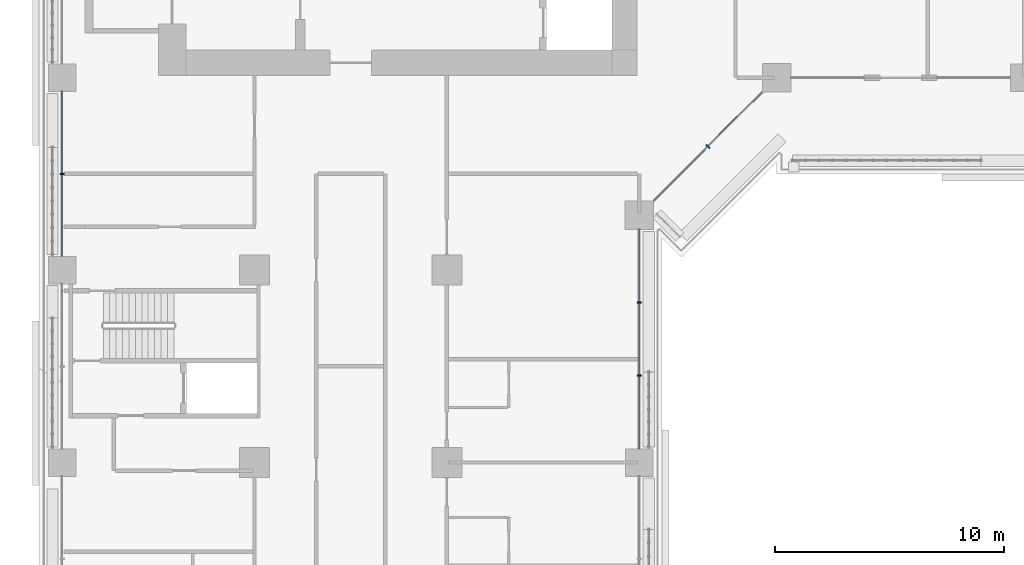
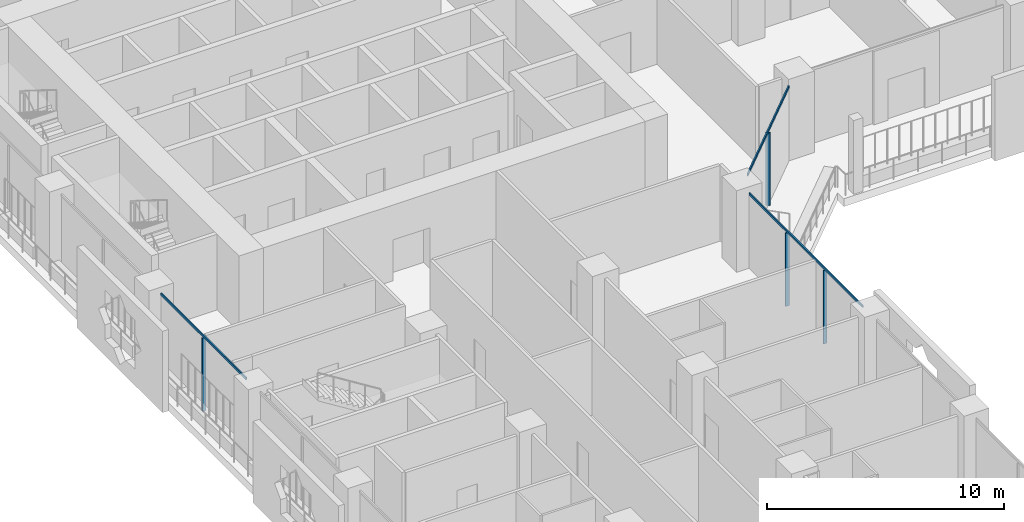
# One storey, part 4 of 27: 7 members, 3 elements without a shape of their own.
"""IFC4 building model written with IfcOpenShell, lengths in metres."""

from ifc_helpers import new_model, si_unit, direction, frame, origin, origin_2d, place, context, subcontext, project, spatial, rectangle, extrude, material, layer, layer_set, material_profile, profile_set, type_object, element, aggregate, save


model = new_model("IFC4")

# Units and contexts
model_context = context("Model", 3, precision=1e-05, world=origin(), true_north=direction((0.0, 1.0)))
body_context = subcontext(model_context, "Body", "Model", "MODEL_VIEW")
ifc_project = project(units=[si_unit("LENGTHUNIT", "METRE"), si_unit("AREAUNIT", "SQUARE_METRE"), si_unit("VOLUMEUNIT", "CUBIC_METRE"), si_unit("PLANEANGLEUNIT", "RADIAN"), si_unit("MASSUNIT", "GRAM", prefix="KILO")], contexts=[model_context])

# Site, building, storey
site_placement = place(None, origin())
site = spatial("IfcSite", under=ifc_project, at=site_placement, CompositionType="ELEMENT")
building_placement = place(site_placement, origin())
building = spatial("IfcBuilding", under=site, at=building_placement, Name="Kawkab Arch Medical Tower", CompositionType="ELEMENT")
storey_placement = place(building_placement, frame((0.0, 0.0, 85.39990234375)))
storey = spatial("IfcBuildingStorey", under=building, at=storey_placement, Name="L19", CompositionType="ELEMENT", Elevation=85.39990234375)

# Curtain wall, member
ifc_material_1 = material(Name="Bronze anodised aluminium curtain wall frame", Category="aluminium")
ifc_layer_1 = layer(ifc_material_1, 0.159912109375)
ifc_layer_set_1 = layer_set([ifc_layer_1], Name="Bronze anodised aluminium curtain wall frame")
curtain_wall_type_1 = type_object("IfcCurtainWallType", Name="CW1 ward curtain wall", PredefinedType="NOTDEFINED", material=ifc_layer_set_1)
placement = place(storey_placement, origin())
curtain_wall_1 = element("IfcCurtainWall", 1, at=placement, inside=storey, type_object=curtain_wall_type_1, Name="CW1 Ward curtain wall R01", PredefinedType="NOTDEFINED")
ifc_material_2 = material(Name="Bronze anodised aluminium curtain wall frame", Category="aluminium")
ifc_material_profile_1 = material_profile(ifc_material_2, rectangle(XDim=0.179931640625, YDim=0.06005859375, at=origin_2d()), Name="AL 60x180")
ifc_profile_set_1 = profile_set([ifc_material_profile_1], Name="Bronze anodised aluminium curtain wall frame")
member_type_1 = type_object("IfcMemberType", Name="CW1 mullion 60 x 180", PredefinedType="MULLION", material=ifc_profile_set_1)
member_1_placement = place(storey_placement, frame((0.0, -29.39990234375, 0.0), z_axis=(0.0, 0.0, 1.0), x_axis=(1.0, 0.0, 0.0)))
member_1 = element("IfcMember", 2, at=member_1_placement, type_object=member_type_1, Name="CW1 mullion 3.1", PredefinedType="MULLION", context=body_context, shape_type="SweptSolid", body=[
    extrude(rectangle(XDim=0.179931640625, YDim=0.06005859375, at=origin_2d()), origin(), (0.0, 0.0, 1.0), 3.780029296875),
])

# Curtain wall, members
curtain_wall_2 = element("IfcCurtainWall", 3, at=placement, inside=storey, type_object=curtain_wall_type_1, Name="CW1 Ward curtain wall R05", PredefinedType="NOTDEFINED")
member_2_placement = place(storey_placement, frame((25.199951171875, -38.208251953125, 0.0), z_axis=(0.0, 0.0, 1.0), x_axis=(-1.0, 0.0, 0.0)))
member_2 = element("IfcMember", 4, at=member_2_placement, type_object=member_type_1, Name="CW1 mullion 4.1", PredefinedType="MULLION", context=body_context, shape_type="SweptSolid", body=[
    extrude(rectangle(XDim=0.179931640625, YDim=0.06005859375, at=origin_2d()), origin(), (0.0, 0.0, 1.0), 3.780029296875),
])
member_3_placement = place(storey_placement, frame((25.199951171875, -35.0166015625, 0.0), z_axis=(0.0, 0.0, 1.0), x_axis=(-1.0, 0.0, 0.0)))
member_3 = element("IfcMember", 5, at=member_3_placement, type_object=member_type_1, Name="CW1 mullion 4.2", PredefinedType="MULLION", context=body_context, shape_type="SweptSolid", body=[
    extrude(rectangle(XDim=0.179931640625, YDim=0.06005859375, at=origin_2d()), origin(), (0.0, 0.0, 1.0), 3.780029296875),
])

# Member
ifc_material_3 = material(Name="Bronze anodised aluminium curtain wall frame", Category="aluminium")
ifc_material_profile_2 = material_profile(ifc_material_3, rectangle(XDim=0.06005859375, YDim=0.1201171875, at=origin_2d()), Name="AL 60x120")
ifc_profile_set_2 = profile_set([ifc_material_profile_2], Name="Bronze anodised aluminium curtain wall frame")
member_type_2 = type_object("IfcMemberType", Name="CW1 transom 120 x 60", PredefinedType="USERDEFINED", material=ifc_profile_set_2)
member_4_placement = place(storey_placement, frame((0.0, -25.800048828125, 3.840087890625), z_axis=(0.0, -1.0, 0.0), x_axis=(1.0, 0.0, 0.0)))
member_4 = element("IfcMember", 6, at=member_4_placement, type_object=member_type_2, Name="CW1 transom 3", ObjectType="TRANSOM", PredefinedType="USERDEFINED", context=body_context, shape_type="SweptSolid", body=[
    extrude(rectangle(XDim=0.06005859375, YDim=0.1201171875, at=origin_2d()), origin(), (0.0, 0.0, 1.0), 7.199951171875),
])

aggregate(curtain_wall_1, [member_4, member_1])

member_5_placement = place(storey_placement, frame((25.199951171875, -41.39990234375, 3.840087890625), z_axis=(0.0, 1.0, 0.0), x_axis=(-1.0, 0.0, 0.0)))
member_5 = element("IfcMember", 7, at=member_5_placement, type_object=member_type_2, Name="CW1 transom 4", ObjectType="TRANSOM", PredefinedType="USERDEFINED", context=body_context, shape_type="SweptSolid", body=[
    extrude(rectangle(XDim=0.06005859375, YDim=0.1201171875, at=origin_2d()), origin(), (0.0, 0.0, 1.0), 9.574951171875),
])

aggregate(curtain_wall_2, [member_5, member_2, member_3])

# Curtain wall, members
ifc_material_4 = material(Name="Bronze anodised aluminium curtain wall frame", Category="aluminium")
ifc_layer_2 = layer(ifc_material_4, 0.159912109375)
ifc_layer_set_2 = layer_set([ifc_layer_2], Name="Bronze anodised aluminium curtain wall frame")
curtain_wall_type_2 = type_object("IfcCurtainWallType", Name="CW2 chamfer curtain wall", PredefinedType="NOTDEFINED", material=ifc_layer_set_2)
curtain_wall_3 = element("IfcCurtainWall", 8, at=placement, inside=storey, type_object=curtain_wall_type_2, Name="CW2 Chamfer curtain wall R06", PredefinedType="NOTDEFINED")
ifc_material_5 = material(Name="Bronze anodised aluminium curtain wall frame", Category="aluminium")
ifc_material_profile_3 = material_profile(ifc_material_5, rectangle(XDim=0.199951171875, YDim=0.06005859375, at=origin_2d()), Name="AL 60x200")
ifc_profile_set_3 = profile_set([ifc_material_profile_3], Name="Bronze anodised aluminium curtain wall frame")
member_type_3 = type_object("IfcMemberType", Name="CW2 mullion 60 x 200", PredefinedType="MULLION", material=ifc_profile_set_3)
member_6_placement = place(storey_placement, frame((28.199951171875, -28.199951171875, 0.0), z_axis=(0.0, 0.0, 1.0), x_axis=(-0.707106781187, 0.707106781187, 0.0)))
member_6 = element("IfcMember", 9, at=member_6_placement, type_object=member_type_3, Name="CW2 mullion 1.1", PredefinedType="MULLION", context=body_context, shape_type="SweptSolid", body=[
    extrude(rectangle(XDim=0.199951171875, YDim=0.06005859375, at=origin_2d()), origin(), (0.0, 0.0, 1.0), 3.760009765625),
])
ifc_material_6 = material(Name="Bronze anodised aluminium curtain wall frame", Category="aluminium")
ifc_material_profile_4 = material_profile(ifc_material_6, rectangle(XDim=0.06005859375, YDim=0.139892578125, at=origin_2d()), Name="AL 60x140")
ifc_profile_set_4 = profile_set([ifc_material_profile_4], Name="Bronze anodised aluminium curtain wall frame")
member_type_4 = type_object("IfcMemberType", Name="CW2 transom 140 x 60", PredefinedType="USERDEFINED", material=ifc_profile_set_4)
member_7_placement = place(storey_placement, frame((25.824951171875, -30.574951171875, 3.830078125), z_axis=(0.707106781187, 0.707106781187, 0.0), x_axis=(-0.707106781187, 0.707106781187, 0.0)))
member_7 = element("IfcMember", 10, at=member_7_placement, type_object=member_type_4, Name="CW2 transom 1", ObjectType="TRANSOM", PredefinedType="USERDEFINED", context=body_context, shape_type="SweptSolid", body=[
    extrude(rectangle(XDim=0.06005859375, YDim=0.139892578125, at=origin_2d()), origin(), (0.0, 0.0, 1.0), 6.717529296875),
])
aggregate(curtain_wall_3, [member_7, member_6])

save(model, "model.ifc")
